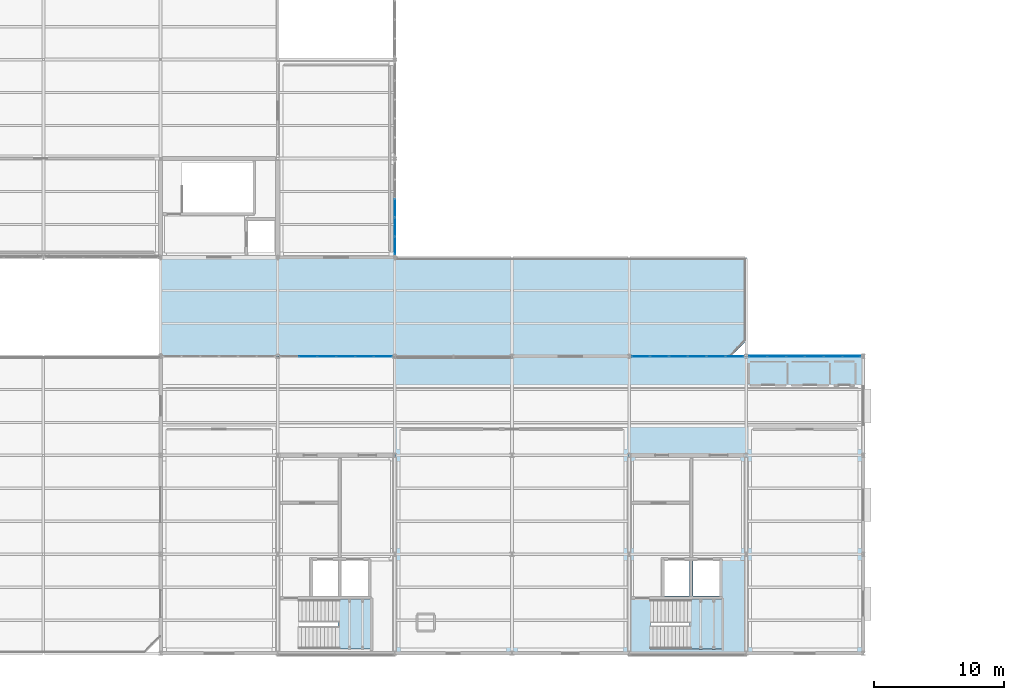
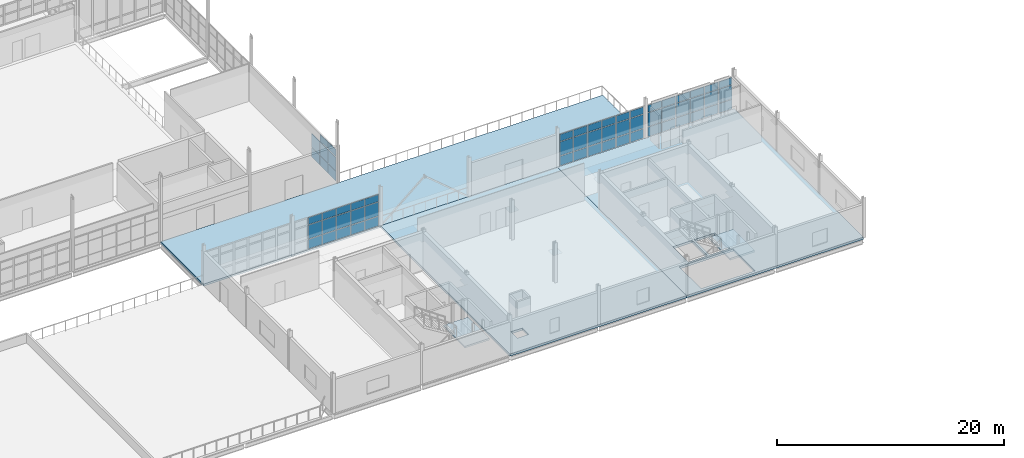
# One storey, part 127 of 166: 59 plates, 5 slabs, 6 elements without a shape of their own.
"""IFC4 building model written with IfcOpenShell, lengths in metres."""

from ifc_helpers import new_model, si_unit, direction, frame, origin, origin_2d, place, context, subcontext, project, spatial, polyline, rectangle, outline, extrude, material, layer, layer_set, type_object, element, aggregate, save


model = new_model("IFC4")

# Units and contexts
model_context = context("Model", 3, precision=1e-05, world=origin(), true_north=direction((0.0, 1.0)))
body_context = subcontext(model_context, "Body", "Model", "MODEL_VIEW")
ifc_project = project(units=[si_unit("LENGTHUNIT", "METRE"), si_unit("AREAUNIT", "SQUARE_METRE"), si_unit("VOLUMEUNIT", "CUBIC_METRE"), si_unit("PLANEANGLEUNIT", "RADIAN"), si_unit("MASSUNIT", "GRAM", prefix="KILO")], contexts=[model_context])

# Site, building, storey
site_placement = place(None, origin())
site = spatial("IfcSite", under=ifc_project, at=site_placement, CompositionType="ELEMENT")
building_placement = place(site_placement, origin())
building = spatial("IfcBuilding", under=site, at=building_placement, Name="Caisbarro Railhouse Central Library", CompositionType="ELEMENT")
storey_placement = place(building_placement, frame((0.0, 0.0, 9.360107421875)))
storey = spatial("IfcBuildingStorey", under=building, at=storey_placement, Name="L02", CompositionType="ELEMENT", Elevation=9.360107421875)

# Curtain wall, plates
ifc_material_1 = material(Name="Anodised architectural aluminium", Category="aluminium")
curtain_wall_type = type_object("IfcCurtainWallType", Name="CW-CW02", PredefinedType="NOTDEFINED", material=ifc_material_1)
curtain_wall_1_placement = place(storey_placement, origin())
curtain_wall_1 = element("IfcCurtainWall", 1, at=curtain_wall_1_placement, inside=storey, type_object=curtain_wall_type, Name="CW02 curtain wall L02 #59", PredefinedType="NOTDEFINED")
ifc_material_2 = material(Name="Double low-e laminated solar-control glass", Category="glass")
ifc_layer_1 = layer(ifc_material_2, 0.028076171875, Name="Double low-e laminated solar-control glass")
ifc_layer_set_1 = layer_set([ifc_layer_1], Name="Double low-e laminated solar-control glass")
plate_type_1 = type_object("IfcPlateType", Name="CWP-CP28", PredefinedType="CURTAIN_PANEL", material=ifc_layer_set_1)
plate_1_placement = place(storey_placement, frame((65.330078125, 22.800048828125, 0.07470703125), z_axis=(0.0, 0.0, 1.0), x_axis=(1.0, 0.0, 0.0)))
plate_1 = element("IfcPlate", 2, at=plate_1_placement, type_object=plate_type_1, Name="CW02 panel 2.1", PredefinedType="CURTAIN_PANEL", context=body_context, shape_type="SweptSolid", body=[
    extrude(rectangle(XDim=1.381591796875, YDim=0.028076171875, at=origin_2d()), origin(), (0.0, 0.0, 1.0), 1.007568359375),
])
plate_2_placement = place(storey_placement, frame((65.330078125, 22.800048828125, 1.1572265625), z_axis=(0.0, 0.0, 1.0), x_axis=(1.0, 0.0, 0.0)))
plate_2 = element("IfcPlate", 3, at=plate_2_placement, type_object=plate_type_1, Name="CW02 panel 2.2", PredefinedType="CURTAIN_PANEL", context=body_context, shape_type="SweptSolid", body=[
    extrude(rectangle(XDim=1.381591796875, YDim=0.028076171875, at=origin_2d()), origin(), (0.0, 0.0, 1.0), 1.465087890625),
])
plate_3_placement = place(storey_placement, frame((65.330078125, 22.800048828125, 2.697265625), z_axis=(0.0, 0.0, 1.0), x_axis=(1.0, 0.0, 0.0)))
plate_3 = element("IfcPlate", 4, at=plate_3_placement, type_object=plate_type_1, Name="CW02 panel 2.3", PredefinedType="CURTAIN_PANEL", context=body_context, shape_type="SweptSolid", body=[
    extrude(rectangle(XDim=1.381591796875, YDim=0.028076171875, at=origin_2d()), origin(), (0.0, 0.0, 1.0), 0.737548828125),
])
plate_4_placement = place(storey_placement, frame((66.776611328125, 22.800048828125, 0.07470703125), z_axis=(0.0, 0.0, 1.0), x_axis=(1.0, 0.0, 0.0)))
plate_4 = element("IfcPlate", 5, at=plate_4_placement, type_object=plate_type_1, Name="CW02 panel 3.1", PredefinedType="CURTAIN_PANEL", context=body_context, shape_type="SweptSolid", body=[
    extrude(rectangle(XDim=1.381591796875, YDim=0.028076171875, at=origin_2d()), origin(), (0.0, 0.0, 1.0), 1.007568359375),
])
plate_5_placement = place(storey_placement, frame((66.776611328125, 22.800048828125, 1.1572265625), z_axis=(0.0, 0.0, 1.0), x_axis=(1.0, 0.0, 0.0)))
plate_5 = element("IfcPlate", 6, at=plate_5_placement, type_object=plate_type_1, Name="CW02 panel 3.2", PredefinedType="CURTAIN_PANEL", context=body_context, shape_type="SweptSolid", body=[
    extrude(rectangle(XDim=1.381591796875, YDim=0.028076171875, at=origin_2d()), origin(), (0.0, 0.0, 1.0), 1.465087890625),
])
plate_6_placement = place(storey_placement, frame((66.776611328125, 22.800048828125, 2.697265625), z_axis=(0.0, 0.0, 1.0), x_axis=(1.0, 0.0, 0.0)))
plate_6 = element("IfcPlate", 7, at=plate_6_placement, type_object=plate_type_1, Name="CW02 panel 3.3", PredefinedType="CURTAIN_PANEL", context=body_context, shape_type="SweptSolid", body=[
    extrude(rectangle(XDim=1.381591796875, YDim=0.028076171875, at=origin_2d()), origin(), (0.0, 0.0, 1.0), 0.737548828125),
])
plate_7_placement = place(storey_placement, frame((68.223388671875, 22.800048828125, 0.07470703125), z_axis=(0.0, 0.0, 1.0), x_axis=(1.0, 0.0, 0.0)))
plate_7 = element("IfcPlate", 8, at=plate_7_placement, type_object=plate_type_1, Name="CW02 panel 4.1", PredefinedType="CURTAIN_PANEL", context=body_context, shape_type="SweptSolid", body=[
    extrude(rectangle(XDim=1.381591796875, YDim=0.028076171875, at=origin_2d()), origin(), (0.0, 0.0, 1.0), 1.007568359375),
])
plate_8_placement = place(storey_placement, frame((68.223388671875, 22.800048828125, 1.1572265625), z_axis=(0.0, 0.0, 1.0), x_axis=(1.0, 0.0, 0.0)))
plate_8 = element("IfcPlate", 9, at=plate_8_placement, type_object=plate_type_1, Name="CW02 panel 4.2", PredefinedType="CURTAIN_PANEL", context=body_context, shape_type="SweptSolid", body=[
    extrude(rectangle(XDim=1.381591796875, YDim=0.028076171875, at=origin_2d()), origin(), (0.0, 0.0, 1.0), 1.465087890625),
])
plate_9_placement = place(storey_placement, frame((68.223388671875, 22.800048828125, 2.697265625), z_axis=(0.0, 0.0, 1.0), x_axis=(1.0, 0.0, 0.0)))
plate_9 = element("IfcPlate", 10, at=plate_9_placement, type_object=plate_type_1, Name="CW02 panel 4.3", PredefinedType="CURTAIN_PANEL", context=body_context, shape_type="SweptSolid", body=[
    extrude(rectangle(XDim=1.381591796875, YDim=0.028076171875, at=origin_2d()), origin(), (0.0, 0.0, 1.0), 0.737548828125),
])
plate_10_placement = place(storey_placement, frame((69.669921875, 22.800048828125, 0.07470703125), z_axis=(0.0, 0.0, 1.0), x_axis=(1.0, 0.0, 0.0)))
plate_10 = element("IfcPlate", 11, at=plate_10_placement, type_object=plate_type_1, Name="CW02 panel 5.1", PredefinedType="CURTAIN_PANEL", context=body_context, shape_type="SweptSolid", body=[
    extrude(rectangle(XDim=1.381591796875, YDim=0.028076171875, at=origin_2d()), origin(), (0.0, 0.0, 1.0), 1.007568359375),
])
plate_11_placement = place(storey_placement, frame((69.669921875, 22.800048828125, 1.1572265625), z_axis=(0.0, 0.0, 1.0), x_axis=(1.0, 0.0, 0.0)))
plate_11 = element("IfcPlate", 12, at=plate_11_placement, type_object=plate_type_1, Name="CW02 panel 5.2", PredefinedType="CURTAIN_PANEL", context=body_context, shape_type="SweptSolid", body=[
    extrude(rectangle(XDim=1.381591796875, YDim=0.028076171875, at=origin_2d()), origin(), (0.0, 0.0, 1.0), 1.465087890625),
])
plate_12_placement = place(storey_placement, frame((69.669921875, 22.800048828125, 2.697265625), z_axis=(0.0, 0.0, 1.0), x_axis=(1.0, 0.0, 0.0)))
plate_12 = element("IfcPlate", 13, at=plate_12_placement, type_object=plate_type_1, Name="CW02 panel 5.3", PredefinedType="CURTAIN_PANEL", context=body_context, shape_type="SweptSolid", body=[
    extrude(rectangle(XDim=1.381591796875, YDim=0.028076171875, at=origin_2d()), origin(), (0.0, 0.0, 1.0), 0.737548828125),
])
plate_13_placement = place(storey_placement, frame((71.100341796875, 22.800048828125, 0.07470703125), z_axis=(0.0, 0.0, 1.0), x_axis=(1.0, 0.0, 0.0)))
plate_13 = element("IfcPlate", 14, at=plate_13_placement, type_object=plate_type_1, Name="CW02 panel 6.1", PredefinedType="CURTAIN_PANEL", context=body_context, shape_type="SweptSolid", body=[
    extrude(rectangle(XDim=1.34912109375, YDim=0.028076171875, at=origin_2d()), origin(), (0.0, 0.0, 1.0), 1.007568359375),
])
plate_14_placement = place(storey_placement, frame((71.100341796875, 22.800048828125, 1.1572265625), z_axis=(0.0, 0.0, 1.0), x_axis=(1.0, 0.0, 0.0)))
plate_14 = element("IfcPlate", 15, at=plate_14_placement, type_object=plate_type_1, Name="CW02 panel 6.2", PredefinedType="CURTAIN_PANEL", context=body_context, shape_type="SweptSolid", body=[
    extrude(rectangle(XDim=1.34912109375, YDim=0.028076171875, at=origin_2d()), origin(), (0.0, 0.0, 1.0), 1.465087890625),
])
plate_15_placement = place(storey_placement, frame((71.100341796875, 22.800048828125, 2.697265625), z_axis=(0.0, 0.0, 1.0), x_axis=(1.0, 0.0, 0.0)))
plate_15 = element("IfcPlate", 16, at=plate_15_placement, type_object=plate_type_1, Name="CW02 panel 6.3", PredefinedType="CURTAIN_PANEL", context=body_context, shape_type="SweptSolid", body=[
    extrude(rectangle(XDim=1.34912109375, YDim=0.028076171875, at=origin_2d()), origin(), (0.0, 0.0, 1.0), 0.737548828125),
])
aggregate(curtain_wall_1, [plate_1, plate_2, plate_3, plate_4, plate_5, plate_6, plate_7, plate_8, plate_9, plate_10, plate_11, plate_12, plate_13, plate_14, plate_15])

curtain_wall_2_placement = place(storey_placement, origin())
curtain_wall_2 = element("IfcCurtainWall", 17, at=curtain_wall_2_placement, inside=storey, type_object=curtain_wall_type, Name="CW02 curtain wall L02 #40", PredefinedType="NOTDEFINED")
ifc_layer_2 = layer(ifc_material_2, 0.0380859375, Name="Double low-e laminated solar-control glass")
ifc_layer_set_2 = layer_set([ifc_layer_2], Name="Double low-e laminated solar-control glass")
plate_type_2 = type_object("IfcPlateType", Name="CWP-CP38", PredefinedType="CURTAIN_PANEL", material=ifc_layer_set_2)
plate_16_placement = place(storey_placement, frame((72.0, 31.306640625, 0.06494140625), z_axis=(0.0, 0.0, 1.0), x_axis=(0.0, 1.0, 0.0)))
plate_16 = element("IfcPlate", 18, at=plate_16_placement, type_object=plate_type_2, Name="CW02 panel 1.1", PredefinedType="CURTAIN_PANEL", context=body_context, shape_type="SweptSolid", body=[
    extrude(rectangle(XDim=1.343505859375, YDim=0.0380859375, at=origin_2d()), origin(), (0.0, 0.0, 1.0), 1.0224609375),
])
plate_17_placement = place(storey_placement, frame((72.0, 31.306640625, 1.15234375), z_axis=(0.0, 0.0, 1.0), x_axis=(0.0, 1.0, 0.0)))
plate_17 = element("IfcPlate", 19, at=plate_17_placement, type_object=plate_type_2, Name="CW02 panel 1.2", PredefinedType="CURTAIN_PANEL", context=body_context, shape_type="SweptSolid", body=[
    extrude(rectangle(XDim=1.343505859375, YDim=0.0380859375, at=origin_2d()), origin(), (0.0, 0.0, 1.0), 1.455078125),
])
plate_18_placement = place(storey_placement, frame((72.0, 31.306640625, 2.67236328125), z_axis=(0.0, 0.0, 1.0), x_axis=(0.0, 1.0, 0.0)))
plate_18 = element("IfcPlate", 20, at=plate_18_placement, type_object=plate_type_2, Name="CW02 panel 1.3", PredefinedType="CURTAIN_PANEL", context=body_context, shape_type="SweptSolid", body=[
    extrude(rectangle(XDim=1.343505859375, YDim=0.0380859375, at=origin_2d()), origin(), (0.0, 0.0, 1.0), 0.75244140625),
])
plate_19_placement = place(storey_placement, frame((72.0, 32.743896484375, 0.06494140625), z_axis=(0.0, 0.0, 1.0), x_axis=(0.0, 1.0, 0.0)))
plate_19 = element("IfcPlate", 21, at=plate_19_placement, type_object=plate_type_2, Name="CW02 panel 2.1", PredefinedType="CURTAIN_PANEL", context=body_context, shape_type="SweptSolid", body=[
    extrude(rectangle(XDim=1.381103515625, YDim=0.0380859375, at=origin_2d()), origin(), (0.0, 0.0, 1.0), 1.0224609375),
])
plate_20_placement = place(storey_placement, frame((72.0, 32.743896484375, 1.15234375), z_axis=(0.0, 0.0, 1.0), x_axis=(0.0, 1.0, 0.0)))
plate_20 = element("IfcPlate", 22, at=plate_20_placement, type_object=plate_type_2, Name="CW02 panel 2.2", PredefinedType="CURTAIN_PANEL", context=body_context, shape_type="SweptSolid", body=[
    extrude(rectangle(XDim=1.381103515625, YDim=0.0380859375, at=origin_2d()), origin(), (0.0, 0.0, 1.0), 1.455078125),
])
plate_21_placement = place(storey_placement, frame((72.0, 32.743896484375, 2.67236328125), z_axis=(0.0, 0.0, 1.0), x_axis=(0.0, 1.0, 0.0)))
plate_21 = element("IfcPlate", 23, at=plate_21_placement, type_object=plate_type_2, Name="CW02 panel 2.3", PredefinedType="CURTAIN_PANEL", context=body_context, shape_type="SweptSolid", body=[
    extrude(rectangle(XDim=1.381103515625, YDim=0.0380859375, at=origin_2d()), origin(), (0.0, 0.0, 1.0), 0.75244140625),
])
plate_22_placement = place(storey_placement, frame((72.0, 34.199951171875, 0.06494140625), z_axis=(0.0, 0.0, 1.0), x_axis=(0.0, 1.0, 0.0)))
plate_22 = element("IfcPlate", 24, at=plate_22_placement, type_object=plate_type_2, Name="CW02 panel 3.1", PredefinedType="CURTAIN_PANEL", context=body_context, shape_type="SweptSolid", body=[
    extrude(rectangle(XDim=1.381103515625, YDim=0.0380859375, at=origin_2d()), origin(), (0.0, 0.0, 1.0), 1.0224609375),
])
plate_23_placement = place(storey_placement, frame((72.0, 34.199951171875, 1.15234375), z_axis=(0.0, 0.0, 1.0), x_axis=(0.0, 1.0, 0.0)))
plate_23 = element("IfcPlate", 25, at=plate_23_placement, type_object=plate_type_2, Name="CW02 panel 3.2", PredefinedType="CURTAIN_PANEL", context=body_context, shape_type="SweptSolid", body=[
    extrude(rectangle(XDim=1.381103515625, YDim=0.0380859375, at=origin_2d()), origin(), (0.0, 0.0, 1.0), 1.455078125),
])
aggregate(curtain_wall_2, [plate_16, plate_17, plate_18, plate_19, plate_20, plate_21, plate_22, plate_23])

curtain_wall_3_placement = place(storey_placement, origin())
curtain_wall_3 = element("IfcCurtainWall", 26, at=curtain_wall_3_placement, inside=storey, type_object=curtain_wall_type, Name="CW02 curtain wall L02 #60", PredefinedType="NOTDEFINED")
ifc_layer_3 = layer(ifc_material_2, 0.05810546875, Name="Double low-e laminated solar-control glass")
ifc_layer_set_3 = layer_set([ifc_layer_3], Name="Double low-e laminated solar-control glass")
plate_type_3 = type_object("IfcPlateType", Name="CWP-CP58", PredefinedType="CURTAIN_PANEL", material=ifc_layer_set_3)
plate_24_placement = place(storey_placement, frame((90.902099609375, 22.800048828125, 0.07470703125), z_axis=(0.0, 0.0, 1.0), x_axis=(1.0, 0.0, 0.0)))
plate_24 = element("IfcPlate", 27, at=plate_24_placement, type_object=plate_type_3, Name="CW02 panel 1.1", PredefinedType="CURTAIN_PANEL", context=body_context, shape_type="SweptSolid", body=[
    extrude(rectangle(XDim=1.334228515625, YDim=0.05810546875, at=origin_2d()), origin(), (0.0, 0.0, 1.0), 1.007568359375),
])
plate_25_placement = place(storey_placement, frame((90.902099609375, 22.800048828125, 1.1572265625), z_axis=(0.0, 0.0, 1.0), x_axis=(1.0, 0.0, 0.0)))
plate_25 = element("IfcPlate", 28, at=plate_25_placement, type_object=plate_type_3, Name="CW02 panel 1.2", PredefinedType="CURTAIN_PANEL", context=body_context, shape_type="SweptSolid", body=[
    extrude(rectangle(XDim=1.334228515625, YDim=0.05810546875, at=origin_2d()), origin(), (0.0, 0.0, 1.0), 1.465087890625),
])
plate_26_placement = place(storey_placement, frame((90.902099609375, 22.800048828125, 2.697265625), z_axis=(0.0, 0.0, 1.0), x_axis=(1.0, 0.0, 0.0)))
plate_26 = element("IfcPlate", 29, at=plate_26_placement, type_object=plate_type_3, Name="CW02 panel 1.3", PredefinedType="CURTAIN_PANEL", context=body_context, shape_type="SweptSolid", body=[
    extrude(rectangle(XDim=1.334228515625, YDim=0.05810546875, at=origin_2d()), origin(), (0.0, 0.0, 1.0), 0.737548828125),
])
plate_27_placement = place(storey_placement, frame((92.330078125, 22.800048828125, 0.07470703125), z_axis=(0.0, 0.0, 1.0), x_axis=(1.0, 0.0, 0.0)))
plate_27 = element("IfcPlate", 30, at=plate_27_placement, type_object=plate_type_3, Name="CW02 panel 2.1", PredefinedType="CURTAIN_PANEL", context=body_context, shape_type="SweptSolid", body=[
    extrude(rectangle(XDim=1.37158203125, YDim=0.05810546875, at=origin_2d()), origin(), (0.0, 0.0, 1.0), 1.007568359375),
])
plate_28_placement = place(storey_placement, frame((92.330078125, 22.800048828125, 1.1572265625), z_axis=(0.0, 0.0, 1.0), x_axis=(1.0, 0.0, 0.0)))
plate_28 = element("IfcPlate", 31, at=plate_28_placement, type_object=plate_type_3, Name="CW02 panel 2.2", PredefinedType="CURTAIN_PANEL", context=body_context, shape_type="SweptSolid", body=[
    extrude(rectangle(XDim=1.37158203125, YDim=0.05810546875, at=origin_2d()), origin(), (0.0, 0.0, 1.0), 1.465087890625),
])
plate_29_placement = place(storey_placement, frame((92.330078125, 22.800048828125, 2.697265625), z_axis=(0.0, 0.0, 1.0), x_axis=(1.0, 0.0, 0.0)))
plate_29 = element("IfcPlate", 32, at=plate_29_placement, type_object=plate_type_3, Name="CW02 panel 2.3", PredefinedType="CURTAIN_PANEL", context=body_context, shape_type="SweptSolid", body=[
    extrude(rectangle(XDim=1.37158203125, YDim=0.05810546875, at=origin_2d()), origin(), (0.0, 0.0, 1.0), 0.737548828125),
])
plate_30_placement = place(storey_placement, frame((93.776611328125, 22.800048828125, 0.07470703125), z_axis=(0.0, 0.0, 1.0), x_axis=(1.0, 0.0, 0.0)))
plate_30 = element("IfcPlate", 33, at=plate_30_placement, type_object=plate_type_3, Name="CW02 panel 3.1", PredefinedType="CURTAIN_PANEL", context=body_context, shape_type="SweptSolid", body=[
    extrude(rectangle(XDim=1.37158203125, YDim=0.05810546875, at=origin_2d()), origin(), (0.0, 0.0, 1.0), 1.007568359375),
])
plate_31_placement = place(storey_placement, frame((93.776611328125, 22.800048828125, 1.1572265625), z_axis=(0.0, 0.0, 1.0), x_axis=(1.0, 0.0, 0.0)))
plate_31 = element("IfcPlate", 34, at=plate_31_placement, type_object=plate_type_3, Name="CW02 panel 3.2", PredefinedType="CURTAIN_PANEL", context=body_context, shape_type="SweptSolid", body=[
    extrude(rectangle(XDim=1.37158203125, YDim=0.05810546875, at=origin_2d()), origin(), (0.0, 0.0, 1.0), 1.465087890625),
])
plate_32_placement = place(storey_placement, frame((93.776611328125, 22.800048828125, 2.697265625), z_axis=(0.0, 0.0, 1.0), x_axis=(1.0, 0.0, 0.0)))
plate_32 = element("IfcPlate", 35, at=plate_32_placement, type_object=plate_type_3, Name="CW02 panel 3.3", PredefinedType="CURTAIN_PANEL", context=body_context, shape_type="SweptSolid", body=[
    extrude(rectangle(XDim=1.37158203125, YDim=0.05810546875, at=origin_2d()), origin(), (0.0, 0.0, 1.0), 0.737548828125),
])
plate_33_placement = place(storey_placement, frame((95.223388671875, 22.800048828125, 0.07470703125), z_axis=(0.0, 0.0, 1.0), x_axis=(1.0, 0.0, 0.0)))
plate_33 = element("IfcPlate", 36, at=plate_33_placement, type_object=plate_type_3, Name="CW02 panel 4.1", PredefinedType="CURTAIN_PANEL", context=body_context, shape_type="SweptSolid", body=[
    extrude(rectangle(XDim=1.37158203125, YDim=0.05810546875, at=origin_2d()), origin(), (0.0, 0.0, 1.0), 1.007568359375),
])
plate_34_placement = place(storey_placement, frame((95.223388671875, 22.800048828125, 1.1572265625), z_axis=(0.0, 0.0, 1.0), x_axis=(1.0, 0.0, 0.0)))
plate_34 = element("IfcPlate", 37, at=plate_34_placement, type_object=plate_type_3, Name="CW02 panel 4.2", PredefinedType="CURTAIN_PANEL", context=body_context, shape_type="SweptSolid", body=[
    extrude(rectangle(XDim=1.37158203125, YDim=0.05810546875, at=origin_2d()), origin(), (0.0, 0.0, 1.0), 1.465087890625),
])
plate_35_placement = place(storey_placement, frame((95.223388671875, 22.800048828125, 2.697265625), z_axis=(0.0, 0.0, 1.0), x_axis=(1.0, 0.0, 0.0)))
plate_35 = element("IfcPlate", 38, at=plate_35_placement, type_object=plate_type_3, Name="CW02 panel 4.3", PredefinedType="CURTAIN_PANEL", context=body_context, shape_type="SweptSolid", body=[
    extrude(rectangle(XDim=1.37158203125, YDim=0.05810546875, at=origin_2d()), origin(), (0.0, 0.0, 1.0), 0.737548828125),
])
plate_36_placement = place(storey_placement, frame((96.669921875, 22.800048828125, 0.07470703125), z_axis=(0.0, 0.0, 1.0), x_axis=(1.0, 0.0, 0.0)))
plate_36 = element("IfcPlate", 39, at=plate_36_placement, type_object=plate_type_3, Name="CW02 panel 5.1", PredefinedType="CURTAIN_PANEL", context=body_context, shape_type="SweptSolid", body=[
    extrude(rectangle(XDim=1.37158203125, YDim=0.05810546875, at=origin_2d()), origin(), (0.0, 0.0, 1.0), 1.007568359375),
])
plate_37_placement = place(storey_placement, frame((96.669921875, 22.800048828125, 1.1572265625), z_axis=(0.0, 0.0, 1.0), x_axis=(1.0, 0.0, 0.0)))
plate_37 = element("IfcPlate", 40, at=plate_37_placement, type_object=plate_type_3, Name="CW02 panel 5.2", PredefinedType="CURTAIN_PANEL", context=body_context, shape_type="SweptSolid", body=[
    extrude(rectangle(XDim=1.37158203125, YDim=0.05810546875, at=origin_2d()), origin(), (0.0, 0.0, 1.0), 1.465087890625),
])
plate_38_placement = place(storey_placement, frame((96.669921875, 22.800048828125, 2.697265625), z_axis=(0.0, 0.0, 1.0), x_axis=(1.0, 0.0, 0.0)))
plate_38 = element("IfcPlate", 41, at=plate_38_placement, type_object=plate_type_3, Name="CW02 panel 5.3", PredefinedType="CURTAIN_PANEL", context=body_context, shape_type="SweptSolid", body=[
    extrude(rectangle(XDim=1.37158203125, YDim=0.05810546875, at=origin_2d()), origin(), (0.0, 0.0, 1.0), 0.737548828125),
])
plate_39_placement = place(storey_placement, frame((98.097900390625, 22.800048828125, 0.07470703125), z_axis=(0.0, 0.0, 1.0), x_axis=(1.0, 0.0, 0.0)))
plate_39 = element("IfcPlate", 42, at=plate_39_placement, type_object=plate_type_3, Name="CW02 panel 6.1", PredefinedType="CURTAIN_PANEL", context=body_context, shape_type="SweptSolid", body=[
    extrude(rectangle(XDim=1.334228515625, YDim=0.05810546875, at=origin_2d()), origin(), (0.0, 0.0, 1.0), 1.007568359375),
])
plate_40_placement = place(storey_placement, frame((98.097900390625, 22.800048828125, 1.1572265625), z_axis=(0.0, 0.0, 1.0), x_axis=(1.0, 0.0, 0.0)))
plate_40 = element("IfcPlate", 43, at=plate_40_placement, type_object=plate_type_3, Name="CW02 panel 6.2", PredefinedType="CURTAIN_PANEL", context=body_context, shape_type="SweptSolid", body=[
    extrude(rectangle(XDim=1.334228515625, YDim=0.05810546875, at=origin_2d()), origin(), (0.0, 0.0, 1.0), 1.465087890625),
])
plate_41_placement = place(storey_placement, frame((98.097900390625, 22.800048828125, 2.697265625), z_axis=(0.0, 0.0, 1.0), x_axis=(1.0, 0.0, 0.0)))
plate_41 = element("IfcPlate", 44, at=plate_41_placement, type_object=plate_type_3, Name="CW02 panel 6.3", PredefinedType="CURTAIN_PANEL", context=body_context, shape_type="SweptSolid", body=[
    extrude(rectangle(XDim=1.334228515625, YDim=0.05810546875, at=origin_2d()), origin(), (0.0, 0.0, 1.0), 0.737548828125),
])
aggregate(curtain_wall_3, [plate_24, plate_25, plate_26, plate_27, plate_28, plate_29, plate_30, plate_31, plate_32, plate_33, plate_34, plate_35, plate_36, plate_37, plate_38, plate_39, plate_40, plate_41])

curtain_wall_4_placement = place(storey_placement, origin())
curtain_wall_4 = element("IfcCurtainWall", 45, at=curtain_wall_4_placement, inside=storey, type_object=curtain_wall_type, Name="CW02 curtain wall L02 #61", PredefinedType="NOTDEFINED")
ifc_layer_4 = layer(ifc_material_2, 0.068115234375, Name="Double low-e laminated solar-control glass")
ifc_layer_set_4 = layer_set([ifc_layer_4], Name="Double low-e laminated solar-control glass")
plate_type_4 = type_object("IfcPlateType", Name="CWP-CP68", PredefinedType="CURTAIN_PANEL", material=ifc_layer_set_4)
plate_42_placement = place(storey_placement, frame((99.899658203125, 22.800048828125, 0.07470703125), z_axis=(0.0, 0.0, 1.0), x_axis=(1.0, 0.0, 0.0)))
plate_42 = element("IfcPlate", 46, at=plate_42_placement, type_object=plate_type_4, Name="CW02 panel 1.1", PredefinedType="CURTAIN_PANEL", context=body_context, shape_type="SweptSolid", body=[
    extrude(rectangle(XDim=1.34912109375, YDim=0.068115234375, at=origin_2d()), origin(), (0.0, 0.0, 1.0), 1.007568359375),
])
plate_43_placement = place(storey_placement, frame((99.899658203125, 22.800048828125, 1.1572265625), z_axis=(0.0, 0.0, 1.0), x_axis=(1.0, 0.0, 0.0)))
plate_43 = element("IfcPlate", 47, at=plate_43_placement, type_object=plate_type_4, Name="CW02 panel 1.2", PredefinedType="CURTAIN_PANEL", context=body_context, shape_type="SweptSolid", body=[
    extrude(rectangle(XDim=1.34912109375, YDim=0.068115234375, at=origin_2d()), origin(), (0.0, 0.0, 1.0), 1.465087890625),
])
plate_44_placement = place(storey_placement, frame((99.899658203125, 22.800048828125, 2.697265625), z_axis=(0.0, 0.0, 1.0), x_axis=(1.0, 0.0, 0.0)))
plate_44 = element("IfcPlate", 48, at=plate_44_placement, type_object=plate_type_4, Name="CW02 panel 1.3", PredefinedType="CURTAIN_PANEL", context=body_context, shape_type="SweptSolid", body=[
    extrude(rectangle(XDim=1.34912109375, YDim=0.068115234375, at=origin_2d()), origin(), (0.0, 0.0, 1.0), 0.737548828125),
])
plate_45_placement = place(storey_placement, frame((101.330078125, 22.800048828125, 0.07470703125), z_axis=(0.0, 0.0, 1.0), x_axis=(1.0, 0.0, 0.0)))
plate_45 = element("IfcPlate", 49, at=plate_45_placement, type_object=plate_type_4, Name="CW02 panel 2.1", PredefinedType="CURTAIN_PANEL", context=body_context, shape_type="SweptSolid", body=[
    extrude(rectangle(XDim=1.381591796875, YDim=0.068115234375, at=origin_2d()), origin(), (0.0, 0.0, 1.0), 1.007568359375),
])
plate_46_placement = place(storey_placement, frame((101.330078125, 22.800048828125, 1.1572265625), z_axis=(0.0, 0.0, 1.0), x_axis=(1.0, 0.0, 0.0)))
plate_46 = element("IfcPlate", 50, at=plate_46_placement, type_object=plate_type_4, Name="CW02 panel 2.2", PredefinedType="CURTAIN_PANEL", context=body_context, shape_type="SweptSolid", body=[
    extrude(rectangle(XDim=1.381591796875, YDim=0.068115234375, at=origin_2d()), origin(), (0.0, 0.0, 1.0), 1.465087890625),
])
plate_47_placement = place(storey_placement, frame((101.330078125, 22.800048828125, 2.697265625), z_axis=(0.0, 0.0, 1.0), x_axis=(1.0, 0.0, 0.0)))
plate_47 = element("IfcPlate", 51, at=plate_47_placement, type_object=plate_type_4, Name="CW02 panel 2.3", PredefinedType="CURTAIN_PANEL", context=body_context, shape_type="SweptSolid", body=[
    extrude(rectangle(XDim=1.381591796875, YDim=0.068115234375, at=origin_2d()), origin(), (0.0, 0.0, 1.0), 0.737548828125),
])
plate_48_placement = place(storey_placement, frame((102.776611328125, 22.800048828125, 0.07470703125), z_axis=(0.0, 0.0, 1.0), x_axis=(1.0, 0.0, 0.0)))
plate_48 = element("IfcPlate", 52, at=plate_48_placement, type_object=plate_type_4, Name="CW02 panel 3.1", PredefinedType="CURTAIN_PANEL", context=body_context, shape_type="SweptSolid", body=[
    extrude(rectangle(XDim=1.381591796875, YDim=0.068115234375, at=origin_2d()), origin(), (0.0, 0.0, 1.0), 1.007568359375),
])
plate_49_placement = place(storey_placement, frame((102.776611328125, 22.800048828125, 1.1572265625), z_axis=(0.0, 0.0, 1.0), x_axis=(1.0, 0.0, 0.0)))
plate_49 = element("IfcPlate", 53, at=plate_49_placement, type_object=plate_type_4, Name="CW02 panel 3.2", PredefinedType="CURTAIN_PANEL", context=body_context, shape_type="SweptSolid", body=[
    extrude(rectangle(XDim=1.381591796875, YDim=0.068115234375, at=origin_2d()), origin(), (0.0, 0.0, 1.0), 1.465087890625),
])
plate_50_placement = place(storey_placement, frame((102.776611328125, 22.800048828125, 2.697265625), z_axis=(0.0, 0.0, 1.0), x_axis=(1.0, 0.0, 0.0)))
plate_50 = element("IfcPlate", 54, at=plate_50_placement, type_object=plate_type_4, Name="CW02 panel 3.3", PredefinedType="CURTAIN_PANEL", context=body_context, shape_type="SweptSolid", body=[
    extrude(rectangle(XDim=1.381591796875, YDim=0.068115234375, at=origin_2d()), origin(), (0.0, 0.0, 1.0), 0.737548828125),
])
plate_51_placement = place(storey_placement, frame((104.223388671875, 22.800048828125, 0.07470703125), z_axis=(0.0, 0.0, 1.0), x_axis=(1.0, 0.0, 0.0)))
plate_51 = element("IfcPlate", 55, at=plate_51_placement, type_object=plate_type_4, Name="CW02 panel 4.1", PredefinedType="CURTAIN_PANEL", context=body_context, shape_type="SweptSolid", body=[
    extrude(rectangle(XDim=1.381591796875, YDim=0.068115234375, at=origin_2d()), origin(), (0.0, 0.0, 1.0), 1.007568359375),
])
plate_52_placement = place(storey_placement, frame((104.223388671875, 22.800048828125, 1.1572265625), z_axis=(0.0, 0.0, 1.0), x_axis=(1.0, 0.0, 0.0)))
plate_52 = element("IfcPlate", 56, at=plate_52_placement, type_object=plate_type_4, Name="CW02 panel 4.2", PredefinedType="CURTAIN_PANEL", context=body_context, shape_type="SweptSolid", body=[
    extrude(rectangle(XDim=1.381591796875, YDim=0.068115234375, at=origin_2d()), origin(), (0.0, 0.0, 1.0), 1.465087890625),
])
plate_53_placement = place(storey_placement, frame((104.223388671875, 22.800048828125, 2.697265625), z_axis=(0.0, 0.0, 1.0), x_axis=(1.0, 0.0, 0.0)))
plate_53 = element("IfcPlate", 57, at=plate_53_placement, type_object=plate_type_4, Name="CW02 panel 4.3", PredefinedType="CURTAIN_PANEL", context=body_context, shape_type="SweptSolid", body=[
    extrude(rectangle(XDim=1.381591796875, YDim=0.068115234375, at=origin_2d()), origin(), (0.0, 0.0, 1.0), 0.737548828125),
])
plate_54_placement = place(storey_placement, frame((105.669921875, 22.800048828125, 0.07470703125), z_axis=(0.0, 0.0, 1.0), x_axis=(1.0, 0.0, 0.0)))
plate_54 = element("IfcPlate", 58, at=plate_54_placement, type_object=plate_type_4, Name="CW02 panel 5.1", PredefinedType="CURTAIN_PANEL", context=body_context, shape_type="SweptSolid", body=[
    extrude(rectangle(XDim=1.381591796875, YDim=0.068115234375, at=origin_2d()), origin(), (0.0, 0.0, 1.0), 1.007568359375),
])
plate_55_placement = place(storey_placement, frame((105.669921875, 22.800048828125, 1.1572265625), z_axis=(0.0, 0.0, 1.0), x_axis=(1.0, 0.0, 0.0)))
plate_55 = element("IfcPlate", 59, at=plate_55_placement, type_object=plate_type_4, Name="CW02 panel 5.2", PredefinedType="CURTAIN_PANEL", context=body_context, shape_type="SweptSolid", body=[
    extrude(rectangle(XDim=1.381591796875, YDim=0.068115234375, at=origin_2d()), origin(), (0.0, 0.0, 1.0), 1.465087890625),
])
plate_56_placement = place(storey_placement, frame((105.669921875, 22.800048828125, 2.697265625), z_axis=(0.0, 0.0, 1.0), x_axis=(1.0, 0.0, 0.0)))
plate_56 = element("IfcPlate", 60, at=plate_56_placement, type_object=plate_type_4, Name="CW02 panel 5.3", PredefinedType="CURTAIN_PANEL", context=body_context, shape_type="SweptSolid", body=[
    extrude(rectangle(XDim=1.381591796875, YDim=0.068115234375, at=origin_2d()), origin(), (0.0, 0.0, 1.0), 0.737548828125),
])
plate_57_placement = place(storey_placement, frame((107.100341796875, 22.800048828125, 0.07470703125), z_axis=(0.0, 0.0, 1.0), x_axis=(1.0, 0.0, 0.0)))
plate_57 = element("IfcPlate", 61, at=plate_57_placement, type_object=plate_type_4, Name="CW02 panel 6.1", PredefinedType="CURTAIN_PANEL", context=body_context, shape_type="SweptSolid", body=[
    extrude(rectangle(XDim=1.34912109375, YDim=0.068115234375, at=origin_2d()), origin(), (0.0, 0.0, 1.0), 1.007568359375),
])
plate_58_placement = place(storey_placement, frame((107.100341796875, 22.800048828125, 1.1572265625), z_axis=(0.0, 0.0, 1.0), x_axis=(1.0, 0.0, 0.0)))
plate_58 = element("IfcPlate", 62, at=plate_58_placement, type_object=plate_type_4, Name="CW02 panel 6.2", PredefinedType="CURTAIN_PANEL", context=body_context, shape_type="SweptSolid", body=[
    extrude(rectangle(XDim=1.34912109375, YDim=0.068115234375, at=origin_2d()), origin(), (0.0, 0.0, 1.0), 1.465087890625),
])
plate_59_placement = place(storey_placement, frame((107.100341796875, 22.800048828125, 2.697265625), z_axis=(0.0, 0.0, 1.0), x_axis=(1.0, 0.0, 0.0)))
plate_59 = element("IfcPlate", 63, at=plate_59_placement, type_object=plate_type_4, Name="CW02 panel 6.3", PredefinedType="CURTAIN_PANEL", context=body_context, shape_type="SweptSolid", body=[
    extrude(rectangle(XDim=1.34912109375, YDim=0.068115234375, at=origin_2d()), origin(), (0.0, 0.0, 1.0), 0.737548828125),
])
aggregate(curtain_wall_4, [plate_42, plate_43, plate_44, plate_45, plate_46, plate_47, plate_48, plate_49, plate_50, plate_51, plate_52, plate_53, plate_54, plate_55, plate_56, plate_57, plate_58, plate_59])

# Slabs
ifc_material_3 = material(Name="Concrete C35", Category="concrete")
ifc_layer_5 = layer(ifc_material_3, 0.239990234375, Name="Concrete C35")
ifc_layer_set_5 = layer_set([ifc_layer_5], Name="Concrete C35")
slab_type_1 = type_object("IfcSlabType", Name="SLB-FL24", PredefinedType="FLOOR", material=ifc_layer_set_5)
slab_1_placement = place(storey_placement, frame((0.0, 0.0, -0.239990234375)))
element("IfcSlab", 64, at=slab_1_placement, inside=storey, type_object=slab_type_1, Name="SF24 structural slab L02 V5.2", PredefinedType="FLOOR", context=body_context, shape_type="SweptSolid", body=[
    extrude(outline(polyline([(72.0, 0.0), (90.0, 0.0), (90.0, 22.800048828125), (72.0, 22.800048828125), (72.0, 0.0)]), holes=[polyline([(73.800048828125, 1.800048828125), (74.9599609375, 1.800048828125), (74.9599609375, 2.919921875), (73.800048828125, 2.919921875), (73.800048828125, 1.800048828125)])]), origin(), (0.0, 0.0, 1.0), 0.239990234375),
])
slab_2_placement = place(storey_placement, frame((0.0, 0.0, -0.239990234375)))
element("IfcSlab", 65, at=slab_2_placement, inside=storey, type_object=slab_type_1, Name="SF24 structural slab L02 V5.3", PredefinedType="FLOOR", context=body_context, shape_type="SweptSolid", body=[
    extrude(outline(polyline([(90.0, 0.0), (108.0, 0.0), (108.0, 22.800048828125), (90.0, 22.800048828125), (90.0, 0.0)]), holes=[polyline([(91.64990234375, 0.300048828125), (97.14990234375, 0.300048828125), (97.14990234375, 4.14990234375), (91.64990234375, 4.14990234375), (91.64990234375, 0.300048828125)]), polyline([(92.699951171875, 4.39990234375), (94.64990234375, 4.39990234375), (94.64990234375, 7.10009765625), (92.699951171875, 7.10009765625), (92.699951171875, 4.39990234375)]), polyline([(94.89990234375, 4.39990234375), (96.949951171875, 4.39990234375), (96.949951171875, 7.10009765625), (94.89990234375, 7.10009765625), (94.89990234375, 4.39990234375)])]), origin(), (0.0, 0.0, 1.0), 0.239990234375),
])

# Stair, slab
stair_type_1 = type_object("IfcStairType", Name="STR-ST43B", PredefinedType="HALF_TURN_STAIR", material=ifc_material_3)
stair_1_placement = place(storey_placement, origin())
stair_1 = element("IfcStair", 66, at=stair_1_placement, inside=storey, type_object=stair_type_1, Name="Protected Stair ST-01 (L02)", PredefinedType="HALF_TURN_STAIR")
ifc_layer_6 = layer(ifc_material_3, 0.18994140625, Name="Concrete C35")
ifc_layer_set_6 = layer_set([ifc_layer_6], Name="Concrete C35")
slab_type_2 = type_object("IfcSlabType", Name="SLB-LND19", PredefinedType="LANDING", material=ifc_layer_set_6)
slab_3_placement = place(storey_placement, frame((0.0, 0.0, 1.969970703125)))
slab_3 = element("IfcSlab", 67, at=slab_3_placement, type_object=slab_type_2, Name="ST-01 landing 1", PredefinedType="LANDING", context=body_context, shape_type="SweptSolid", body=[
    extrude(outline(polyline([(67.6201171875, 0.340087890625), (70.1201171875, 0.340087890625), (70.1201171875, 4.110107421875), (67.6201171875, 4.110107421875), (67.6201171875, 0.340087890625)])), origin(), (0.0, 0.0, 1.0), 0.18994140625),
])
aggregate(stair_1, [slab_3])

stair_type_2 = type_object("IfcStairType", Name="STR-ST43C", PredefinedType="HALF_TURN_STAIR", material=ifc_material_3)
stair_2_placement = place(storey_placement, origin())
stair_2 = element("IfcStair", 68, at=stair_2_placement, inside=storey, type_object=stair_type_2, Name="Protected Stair ST-02 (L02)", PredefinedType="HALF_TURN_STAIR")
slab_4_placement = place(storey_placement, frame((0.0, 0.0, 1.969970703125)))
slab_4 = element("IfcSlab", 69, at=slab_4_placement, type_object=slab_type_2, Name="ST-02 landing 1", PredefinedType="LANDING", context=body_context, shape_type="SweptSolid", body=[
    extrude(outline(polyline([(94.6201171875, 0.340087890625), (97.1201171875, 0.340087890625), (97.1201171875, 4.110107421875), (94.6201171875, 4.110107421875), (94.6201171875, 0.340087890625)])), origin(), (0.0, 0.0, 1.0), 0.18994140625),
])
aggregate(stair_2, [slab_4])

# Slab
ifc_layer_7 = layer(ifc_material_3, 0.2099609375, Name="Concrete C35")
ifc_layer_set_7 = layer_set([ifc_layer_7], Name="Concrete C35")
slab_type_3 = type_object("IfcSlabType", Name="SLB-TR21", PredefinedType="FLOOR", material=ifc_layer_set_7)
slab_5_placement = place(storey_placement, frame((0.0, 0.0, -0.210205078125)))
element("IfcSlab", 70, at=slab_5_placement, inside=storey, type_object=slab_type_3, Name="Outdoor Reading Terrace Slab TR-L02-C", PredefinedType="FLOOR", context=body_context, shape_type="SweptSolid", body=[
    extrude(outline(polyline([(54.0, 22.800048828125), (97.800048828125, 22.800048828125), (99.0, 24.0), (99.0, 30.39990234375), (54.0, 30.39990234375), (54.0, 22.800048828125)])), origin(), (0.0, 0.0, 1.0), 0.210205078125),
])

save(model, "model.ifc")
